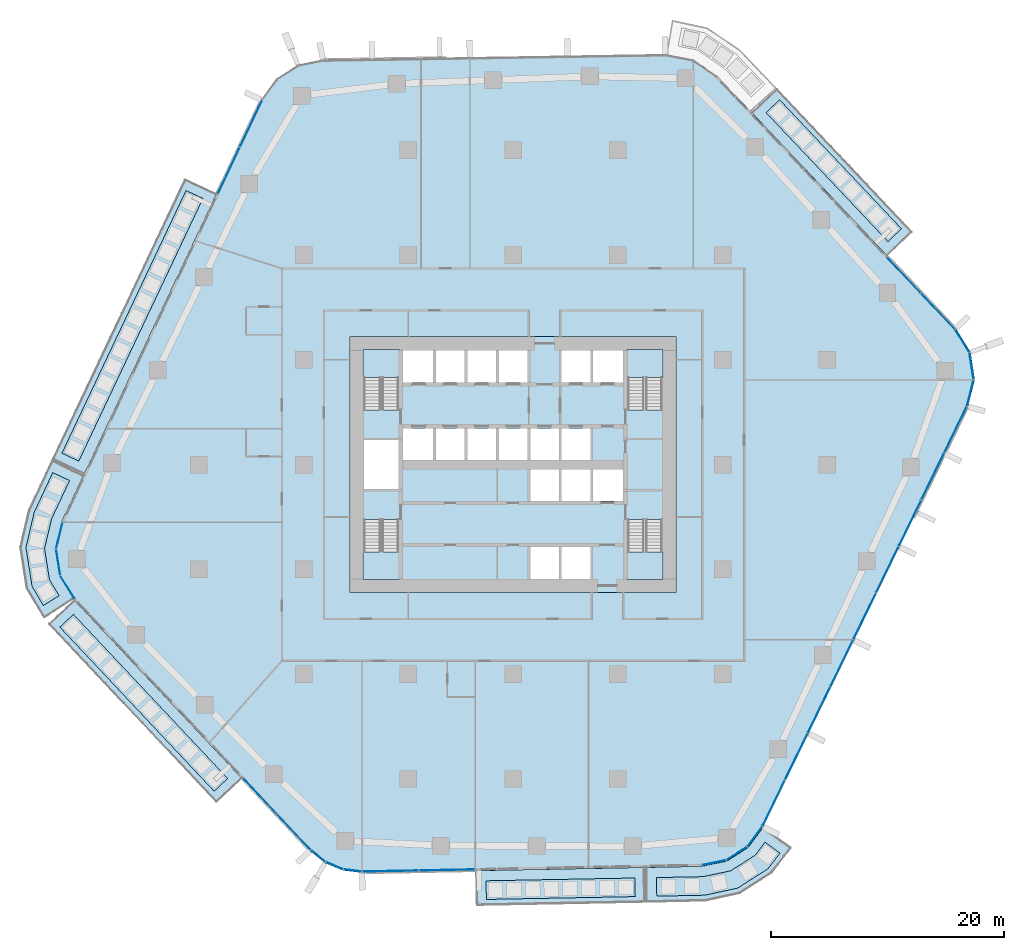
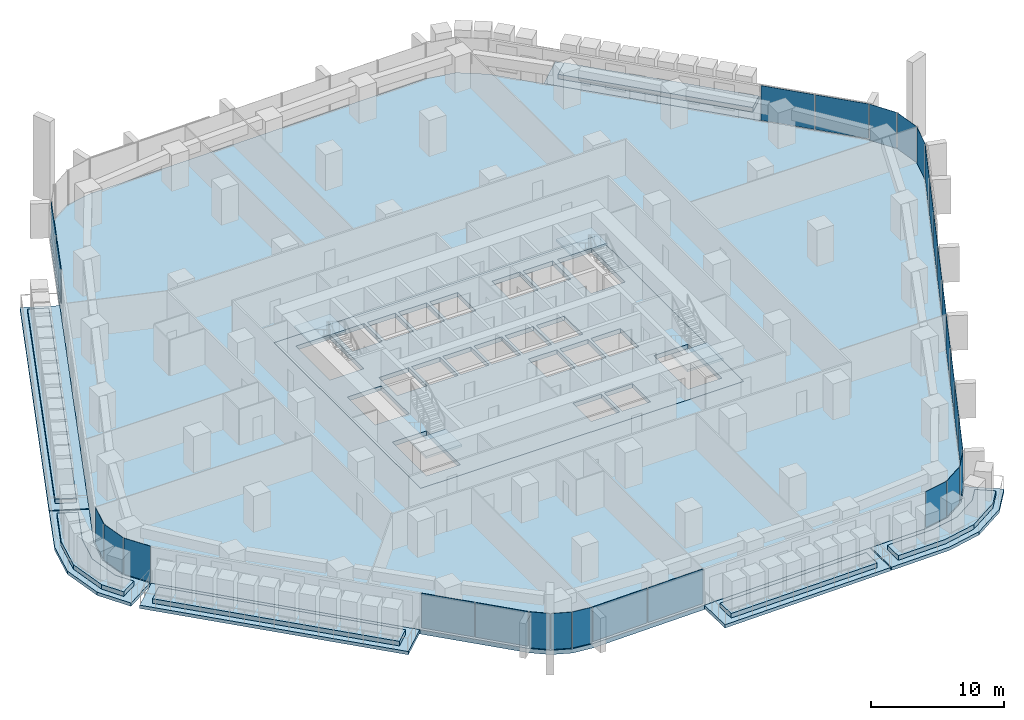
# One storey, part 11 of 25: 29 plates, 18 slabs, 13 elements without a shape of their own.
"""IFC4 building model written with IfcOpenShell, lengths in metres."""

from ifc_helpers import new_model, si_unit, direction, frame, origin, origin_2d, place, context, subcontext, project, spatial, polyline, rectangle, outline, extrude, material, layer, layer_set, type_object, element, aggregate, save


model = new_model("IFC4")

# Units and contexts
model_context = context("Model", 3, precision=1e-05, world=origin(), true_north=direction((0.0, 1.0)))
body_context = subcontext(model_context, "Body", "Model", "MODEL_VIEW")
ifc_project = project(units=[si_unit("LENGTHUNIT", "METRE"), si_unit("AREAUNIT", "SQUARE_METRE"), si_unit("VOLUMEUNIT", "CUBIC_METRE"), si_unit("PLANEANGLEUNIT", "RADIAN"), si_unit("MASSUNIT", "GRAM", prefix="KILO")], contexts=[model_context])

# Site, building, storey
site_placement = place(None, origin())
site = spatial("IfcSite", under=ifc_project, at=site_placement, CompositionType="ELEMENT")
building_placement = place(site_placement, origin())
building = spatial("IfcBuilding", under=site, at=building_placement, Name="Dongbaek Canopy Tower", CompositionType="ELEMENT")
storey_placement = place(building_placement, frame((0.0, 0.0, 77.300048828125)))
storey = spatial("IfcBuildingStorey", under=building, at=storey_placement, Name="L15", CompositionType="ELEMENT", Elevation=77.300048828125)

# Slabs
ifc_material_1 = material(Name="Concrete C40/50", Category="concrete")
ifc_layer_1 = layer(ifc_material_1, 0.300048828125)
ifc_layer_set_1 = layer_set([ifc_layer_1], Name="Balcony slab 300")
slab_type_1 = type_object("IfcSlabType", Name="Balcony slab 300", PredefinedType="FLOOR", material=ifc_layer_set_1)
slab_1_placement = place(storey_placement, frame((0.0, 0.0, -0.300048828125)))
element("IfcSlab", 1, at=slab_1_placement, inside=storey, type_object=slab_type_1, Name="Balcony L15 1", PredefinedType="FLOOR", context=body_context, shape_type="SweptSolid", body=[
    extrude(outline(polyline([(32.134033203125, 17.93408203125), (20.492431640625, 30.24755859375), (22.67236328125, 32.30859375), (34.31396484375, 19.9951171875), (32.134033203125, 17.93408203125)])), origin(), (0.0, 0.0, 1.0), 0.300048828125),
])
slab_2_placement = place(storey_placement, frame((0.0, 0.0, -0.300048828125)))
element("IfcSlab", 2, at=slab_2_placement, inside=storey, type_object=slab_type_1, Name="Balcony L15 2", PredefinedType="FLOOR", context=body_context, shape_type="SweptSolid", body=[
    extrude(outline(polyline([(-25.47998046875, 23.25048828125), (-36.863037109375, -0.844482421875), (-39.57568359375, 0.43701171875), (-28.1923828125, 24.531982421875), (-25.47998046875, 23.25048828125)])), origin(), (0.0, 0.0, 1.0), 0.300048828125),
])
slab_3_placement = place(storey_placement, frame((0.0, 0.0, -0.300048828125)))
element("IfcSlab", 3, at=slab_3_placement, inside=storey, type_object=slab_type_1, Name="Balcony L15 6", PredefinedType="FLOOR", context=body_context, shape_type="SweptSolid", body=[
    extrude(outline(polyline([(-36.90576171875, -0.93505859375), (-38.788818359375, -4.920654296875), (-39.358154296875, -7.2275390625), (-38.987548828125, -9.574462890625), (-37.761474609375, -11.551025390625), (-40.310791015625, -13.13232421875), (-41.799560546875, -10.61962890625), (-42.35546875, -7.099365234375), (-41.615234375, -3.91552734375), (-39.618408203125, 0.346435546875), (-36.90576171875, -0.93505859375)])), origin(), (0.0, 0.0, 1.0), 0.300048828125),
])
slab_4_placement = place(storey_placement, frame((0.0, 0.0, -0.300048828125)))
element("IfcSlab", 4, at=slab_4_placement, inside=storey, type_object=slab_type_1, Name="Balcony L15 3", PredefinedType="FLOOR", context=body_context, shape_type="SweptSolid", body=[
    extrude(outline(polyline([(-37.700927734375, -11.6298828125), (-23.28271484375, -26.96630859375), (-25.468505859375, -29.021240234375), (-39.88671875, -13.684814453125), (-37.700927734375, -11.6298828125)])), origin(), (0.0, 0.0, 1.0), 0.300048828125),
])
slab_5_placement = place(storey_placement, frame((0.0, 0.0, -0.300048828125)))
element("IfcSlab", 5, at=slab_5_placement, inside=storey, type_object=slab_type_1, Name="Balcony L15 4", PredefinedType="FLOOR", context=body_context, shape_type="SweptSolid", body=[
    extrude(outline(polyline([(-3.193359375, -34.87060546875), (11.294677734375, -34.595947265625), (11.3515625, -37.595458984375), (-3.136474609375, -37.869873046875), (-3.193359375, -34.87060546875)])), origin(), (0.0, 0.0, 1.0), 0.300048828125),
])
slab_6_placement = place(storey_placement, frame((0.0, 0.0, -0.300048828125)))
element("IfcSlab", 6, at=slab_6_placement, inside=storey, type_object=slab_type_1, Name="Balcony L15 7", PredefinedType="FLOOR", context=body_context, shape_type="SweptSolid", body=[
    extrude(outline(polyline([(11.39453125, -34.593994140625), (16.207275390625, -34.502685546875), (18.347900390625, -34.064208984375), (20.189697265625, -32.88818359375), (21.458251953125, -31.170654296875), (23.871337890625, -32.953125), (22.23779296875, -35.080078125), (19.47509765625, -36.844482421875), (16.5380859375, -37.484375), (11.451416015625, -37.593505859375), (11.39453125, -34.593994140625)])), origin(), (0.0, 0.0, 1.0), 0.300048828125),
])

# Curtain wall, plates
ifc_material_2 = material(Name="Aluminium 6063-T6 pale anodised", Category="aluminium")
ifc_layer_2 = layer(ifc_material_2, 0.199951171875)
ifc_layer_set_2 = layer_set([ifc_layer_2], Name="CW-1 unitised tower curtain wall")
curtain_wall_type = type_object("IfcCurtainWallType", Name="CW-1 unitised tower curtain wall", PredefinedType="NOTDEFINED", material=ifc_layer_set_2)
curtain_wall_1_placement = place(storey_placement, origin())
curtain_wall_1 = element("IfcCurtainWall", 7, at=curtain_wall_1_placement, inside=storey, type_object=curtain_wall_type, Name="CW-1 curtain wall K0.1", PredefinedType="NOTDEFINED")
ifc_material_3 = material(Name="Clear laminated glass", Category="glass")
ifc_layer_3 = layer(ifc_material_3, 0.028076171875)
ifc_layer_set_3 = layer_set([ifc_layer_3], Name="CW-1 glazed panel 28")
plate_type = type_object("IfcPlateType", Name="CW-1 glazed panel 28", PredefinedType="CURTAIN_PANEL", material=ifc_layer_set_3)
plate_1_placement = place(storey_placement, frame((39.259033203125, 6.140380859375, 0.0), z_axis=(0.0, 0.0, 1.0), x_axis=(0.248721904492, 0.968574939912, 0.0)))
plate_1 = element("IfcPlate", 8, at=plate_1_placement, type_object=plate_type, Name="CW-1 panel K0.1.1.1", PredefinedType="CURTAIN_PANEL", context=body_context, shape_type="SweptSolid", body=[
    extrude(rectangle(XDim=2.2900390625, YDim=0.028076171875, at=origin_2d()), origin(), (0.0, 0.0, 1.0), 3.300048828125),
])
plate_2_placement = place(storey_placement, frame((39.375244140625, 8.458251953125, 0.0), z_axis=(0.0, 0.0, 1.0), x_axis=(-0.151541451758, 0.988450903383, 0.0)))
plate_2 = element("IfcPlate", 9, at=plate_2_placement, type_object=plate_type, Name="CW-1 panel K0.1.2.1", PredefinedType="CURTAIN_PANEL", context=body_context, shape_type="SweptSolid", body=[
    extrude(rectangle(XDim=2.279541015625, YDim=0.028076171875, at=origin_2d()), origin(), (0.0, 0.0, 1.0), 3.300048828125),
])
plate_3_placement = place(storey_placement, frame((38.570068359375, 10.635009765625, 0.0), z_axis=(0.0, 0.0, 1.0), x_axis=(-0.527466370675, 0.849575910562, 0.0)))
plate_3 = element("IfcPlate", 10, at=plate_3_placement, type_object=plate_type, Name="CW-1 panel K0.1.3.1", PredefinedType="CURTAIN_PANEL", context=body_context, shape_type="SweptSolid", body=[
    extrude(rectangle(XDim=2.2900390625, YDim=0.028076171875, at=origin_2d()), origin(), (0.0, 0.0, 1.0), 3.300048828125),
])
aggregate(curtain_wall_1, [plate_1, plate_2, plate_3])

curtain_wall_2_placement = place(storey_placement, origin())
curtain_wall_2 = element("IfcCurtainWall", 11, at=curtain_wall_2_placement, inside=storey, type_object=curtain_wall_type, Name="CW-1 curtain wall F0.1", PredefinedType="NOTDEFINED")
plate_4_placement = place(storey_placement, frame((36.483642578125, 13.18798828125, 0.1201171875), z_axis=(0.0, 0.0, 1.0), x_axis=(-0.687005170923, 0.72665252709, 0.0)))
plate_4 = element("IfcPlate", 12, at=plate_4_placement, type_object=plate_type, Name="CW-1 panel F0.1.1.1", PredefinedType="CURTAIN_PANEL", context=body_context, shape_type="SweptSolid", body=[
    extrude(rectangle(XDim=4.167236328125, YDim=0.028076171875, at=origin_2d()), origin(), (0.0, 0.0, 1.0), 3.179931640625),
])
plate_5_placement = place(storey_placement, frame((33.5595703125, 16.28076171875, 0.1201171875), z_axis=(0.0, 0.0, 1.0), x_axis=(-0.687005170923, 0.72665252709, 0.0)))
plate_5 = element("IfcPlate", 13, at=plate_5_placement, type_object=plate_type, Name="CW-1 panel F0.1.2.1", PredefinedType="CURTAIN_PANEL", context=body_context, shape_type="SweptSolid", body=[
    extrude(rectangle(XDim=4.177490234375, YDim=0.028076171875, at=origin_2d()), origin(), (0.0, 0.0, 1.0), 3.179931640625),
])
aggregate(curtain_wall_2, [plate_4, plate_5])

curtain_wall_3_placement = place(storey_placement, origin())
curtain_wall_3 = element("IfcCurtainWall", 14, at=curtain_wall_3_placement, inside=storey, type_object=curtain_wall_type, Name="CW-1 curtain wall F2.1", PredefinedType="NOTDEFINED")
plate_6_placement = place(storey_placement, frame((-22.513671875, 29.29541015625, 0.1201171875), z_axis=(0.0, 0.0, 1.0), x_axis=(-0.427157493317, -0.904177236997, 0.0)))
plate_6 = element("IfcPlate", 15, at=plate_6_placement, type_object=plate_type, Name="CW-1 panel F2.1.1.1", PredefinedType="CURTAIN_PANEL", context=body_context, shape_type="SweptSolid", body=[
    extrude(rectangle(XDim=4.36474609375, YDim=0.028076171875, at=origin_2d()), origin(), (0.0, 0.0, 1.0), 3.179931640625),
])
plate_7_placement = place(storey_placement, frame((-24.416015625, 25.2685546875, 0.1201171875), z_axis=(0.0, 0.0, 1.0), x_axis=(-0.427157493317, -0.904177236997, 0.0)))
plate_7 = element("IfcPlate", 16, at=plate_7_placement, type_object=plate_type, Name="CW-1 panel F2.1.2.1", PredefinedType="CURTAIN_PANEL", context=body_context, shape_type="SweptSolid", body=[
    extrude(rectangle(XDim=4.3740234375, YDim=0.028076171875, at=origin_2d()), origin(), (0.0, 0.0, 1.0), 3.179931640625),
])
aggregate(curtain_wall_3, [plate_6, plate_7])

curtain_wall_4_placement = place(storey_placement, origin())
curtain_wall_4 = element("IfcCurtainWall", 17, at=curtain_wall_4_placement, inside=storey, type_object=curtain_wall_type, Name="CW-1 curtain wall K3.1", PredefinedType="NOTDEFINED")
plate_8_placement = place(storey_placement, frame((-38.97509765625, -6.093017578125, 0.0), z_axis=(0.0, 0.0, 1.0), x_axis=(-0.239675655478, -0.97085301677, 0.0)))
plate_8 = element("IfcPlate", 18, at=plate_8_placement, type_object=plate_type, Name="CW-1 panel K3.1.1.1", PredefinedType="CURTAIN_PANEL", context=body_context, shape_type="SweptSolid", body=[
    extrude(rectangle(XDim=2.26171875, YDim=0.028076171875, at=origin_2d()), origin(), (0.0, 0.0, 1.0), 3.300048828125),
])
plate_9_placement = place(storey_placement, frame((-39.07421875, -8.38525390625, 0.0), z_axis=(0.0, 0.0, 1.0), x_axis=(0.15595884554, -0.987763553943, 0.0)))
plate_9 = element("IfcPlate", 19, at=plate_9_placement, type_object=plate_type, Name="CW-1 panel K3.1.2.1", PredefinedType="CURTAIN_PANEL", context=body_context, shape_type="SweptSolid", body=[
    extrude(rectangle(XDim=2.25146484375, YDim=0.028076171875, at=origin_2d()), origin(), (0.0, 0.0, 1.0), 3.300048828125),
])
plate_10_placement = place(storey_placement, frame((-38.273681640625, -10.535400390625, 0.0), z_axis=(0.0, 0.0, 1.0), x_axis=(0.527137030635, -0.849780295684, 0.0)))
plate_10 = element("IfcPlate", 20, at=plate_10_placement, type_object=plate_type, Name="CW-1 panel K3.1.3.1", PredefinedType="CURTAIN_PANEL", context=body_context, shape_type="SweptSolid", body=[
    extrude(rectangle(XDim=2.26171875, YDim=0.028076171875, at=origin_2d()), origin(), (0.0, 0.0, 1.0), 3.300048828125),
])
aggregate(curtain_wall_4, [plate_8, plate_9, plate_10])

curtain_wall_5_placement = place(storey_placement, origin())
curtain_wall_5 = element("IfcCurtainWall", 21, at=curtain_wall_5_placement, inside=storey, type_object=curtain_wall_type, Name="CW-1 curtain wall F3.1", PredefinedType="NOTDEFINED")
plate_11_placement = place(storey_placement, frame((-21.72705078125, -28.475341796875, 0.1201171875), z_axis=(0.0, 0.0, 1.0), x_axis=(0.684955696886, -0.728584719372, 0.0)))
plate_11 = element("IfcPlate", 22, at=plate_11_placement, type_object=plate_type, Name="CW-1 panel F3.1.1.1", PredefinedType="CURTAIN_PANEL", context=body_context, shape_type="SweptSolid", body=[
    extrude(rectangle(XDim=4.14599609375, YDim=0.028076171875, at=origin_2d()), origin(), (0.0, 0.0, 1.0), 3.179931640625),
])
plate_12_placement = place(storey_placement, frame((-18.83203125, -31.5546875, 0.1201171875), z_axis=(0.0, 0.0, 1.0), x_axis=(0.684955696886, -0.728584719372, 0.0)))
plate_12 = element("IfcPlate", 23, at=plate_12_placement, type_object=plate_type, Name="CW-1 panel F3.1.2.1", PredefinedType="CURTAIN_PANEL", context=body_context, shape_type="SweptSolid", body=[
    extrude(rectangle(XDim=4.138916015625, YDim=0.028076171875, at=origin_2d()), origin(), (0.0, 0.0, 1.0), 3.179931640625),
])
aggregate(curtain_wall_5, [plate_11, plate_12])

curtain_wall_6_placement = place(storey_placement, origin())
curtain_wall_6 = element("IfcCurtainWall", 24, at=curtain_wall_6_placement, inside=storey, type_object=curtain_wall_type, Name="CW-1 curtain wall K4.1", PredefinedType="NOTDEFINED")
plate_13_placement = place(storey_placement, frame((-16.7451171875, -33.608154296875, 0.0), z_axis=(0.0, 0.0, 1.0), x_axis=(0.779422777019, -0.626498311781, 0.0)))
plate_13 = element("IfcPlate", 25, at=plate_13_placement, type_object=plate_type, Name="CW-1 panel K4.1.1.1", PredefinedType="CURTAIN_PANEL", context=body_context, shape_type="SweptSolid", body=[
    extrude(rectangle(XDim=1.56005859375, YDim=0.028076171875, at=origin_2d()), origin(), (0.0, 0.0, 1.0), 3.300048828125),
])
plate_14_placement = place(storey_placement, frame((-15.35009765625, -34.440673828125, 0.0), z_axis=(0.0, 0.0, 1.0), x_axis=(0.92158575845, -0.388174818635, 0.0)))
plate_14 = element("IfcPlate", 26, at=plate_14_placement, type_object=plate_type, Name="CW-1 panel K4.1.2.1", PredefinedType="CURTAIN_PANEL", context=body_context, shape_type="SweptSolid", body=[
    extrude(rectangle(XDim=1.552978515625, YDim=0.028076171875, at=origin_2d()), origin(), (0.0, 0.0, 1.0), 3.300048828125),
])
plate_15_placement = place(storey_placement, frame((-13.779541015625, -34.857177734375, 0.0), z_axis=(0.0, 0.0, 1.0), x_axis=(0.992778894538, -0.119958603523, 0.0)))
plate_15 = element("IfcPlate", 27, at=plate_15_placement, type_object=plate_type, Name="CW-1 panel K4.1.3.1", PredefinedType="CURTAIN_PANEL", context=body_context, shape_type="SweptSolid", body=[
    extrude(rectangle(XDim=1.56005859375, YDim=0.028076171875, at=origin_2d()), origin(), (0.0, 0.0, 1.0), 3.300048828125),
])
aggregate(curtain_wall_6, [plate_13, plate_14, plate_15])

curtain_wall_7_placement = place(storey_placement, origin())
curtain_wall_7 = element("IfcCurtainWall", 28, at=curtain_wall_7_placement, inside=storey, type_object=curtain_wall_type, Name="CW-1 curtain wall F4.1", PredefinedType="NOTDEFINED")
plate_16_placement = place(storey_placement, frame((-10.53564453125, -34.90966796875, 0.1201171875), z_axis=(0.0, 0.0, 1.0), x_axis=(0.999820399817, 0.018951731053, 0.0)))
plate_16 = element("IfcPlate", 29, at=plate_16_placement, type_object=plate_type, Name="CW-1 panel F4.1.1.1", PredefinedType="CURTAIN_PANEL", context=body_context, shape_type="SweptSolid", body=[
    extrude(rectangle(XDim=4.7724609375, YDim=0.028076171875, at=origin_2d()), origin(), (0.0, 0.0, 1.0), 3.179931640625),
])
plate_17_placement = place(storey_placement, frame((-5.676513671875, -34.817626953125, 0.1201171875), z_axis=(0.0, 0.0, 1.0), x_axis=(0.999820399817, 0.018951731053, 0.0)))
plate_17 = element("IfcPlate", 30, at=plate_17_placement, type_object=plate_type, Name="CW-1 panel F4.1.2.1", PredefinedType="CURTAIN_PANEL", context=body_context, shape_type="SweptSolid", body=[
    extrude(rectangle(XDim=4.779541015625, YDim=0.028076171875, at=origin_2d()), origin(), (0.0, 0.0, 1.0), 3.179931640625),
])
aggregate(curtain_wall_7, [plate_16, plate_17])

curtain_wall_8_placement = place(storey_placement, origin())
curtain_wall_8 = element("IfcCurtainWall", 31, at=curtain_wall_8_placement, inside=storey, type_object=curtain_wall_type, Name="CW-1 curtain wall K5.1", PredefinedType="NOTDEFINED")
plate_18_placement = place(storey_placement, frame((17.2529296875, -34.1865234375, 0.0), z_axis=(0.0, 0.0, 1.0), x_axis=(0.979652022708, 0.200703548559, 0.0)))
plate_18 = element("IfcPlate", 32, at=plate_18_placement, type_object=plate_type, Name="CW-1 panel K5.1.1.1", PredefinedType="CURTAIN_PANEL", context=body_context, shape_type="SweptSolid", body=[
    extrude(rectangle(XDim=2.073486328125, YDim=0.028076171875, at=origin_2d()), origin(), (0.0, 0.0, 1.0), 3.300048828125),
])
plate_19_placement = place(storey_placement, frame((19.215087890625, -33.391845703125, 0.0), z_axis=(0.0, 0.0, 1.0), x_axis=(0.842805099495, 0.538218881372, 0.0)))
plate_19 = element("IfcPlate", 33, at=plate_19_placement, type_object=plate_type, Name="CW-1 panel K5.1.2.1", PredefinedType="CURTAIN_PANEL", context=body_context, shape_type="SweptSolid", body=[
    extrude(rectangle(XDim=2.064208984375, YDim=0.028076171875, at=origin_2d()), origin(), (0.0, 0.0, 1.0), 3.300048828125),
])
plate_20_placement = place(storey_placement, frame((20.76123046875, -31.946044921875, 0.0), z_axis=(0.0, 0.0, 1.0), x_axis=(0.594165406142, 0.804342880955, 0.0)))
plate_20 = element("IfcPlate", 34, at=plate_20_placement, type_object=plate_type, Name="CW-1 panel K5.1.3.1", PredefinedType="CURTAIN_PANEL", context=body_context, shape_type="SweptSolid", body=[
    extrude(rectangle(XDim=2.073486328125, YDim=0.028076171875, at=origin_2d()), origin(), (0.0, 0.0, 1.0), 3.300048828125),
])
aggregate(curtain_wall_8, [plate_18, plate_19, plate_20])

curtain_wall_9_placement = place(storey_placement, origin())
curtain_wall_9 = element("IfcCurtainWall", 35, at=curtain_wall_9_placement, inside=storey, type_object=curtain_wall_type, Name="CW-1 curtain wall F5.1", PredefinedType="NOTDEFINED")
plate_21_placement = place(storey_placement, frame((22.376220703125, -29.07763671875, 0.1201171875), z_axis=(0.0, 0.0, 1.0), x_axis=(0.437758850882, 0.899092424879, 0.0)))
plate_21 = element("IfcPlate", 36, at=plate_21_placement, type_object=plate_type, Name="CW-1 panel F5.1.1.1", PredefinedType="CURTAIN_PANEL", context=body_context, shape_type="SweptSolid", body=[
    extrude(rectangle(XDim=4.366455078125, YDim=0.028076171875, at=origin_2d()), origin(), (0.0, 0.0, 1.0), 3.179931640625),
])
plate_22_placement = place(storey_placement, frame((24.326416015625, -25.072265625, 0.1201171875), z_axis=(0.0, 0.0, 1.0), x_axis=(0.437758850882, 0.899092424879, 0.0)))
plate_22 = element("IfcPlate", 37, at=plate_22_placement, type_object=plate_type, Name="CW-1 panel F5.1.2.1", PredefinedType="CURTAIN_PANEL", context=body_context, shape_type="SweptSolid", body=[
    extrude(rectangle(XDim=4.375732421875, YDim=0.028076171875, at=origin_2d()), origin(), (0.0, 0.0, 1.0), 3.179931640625),
])
plate_23_placement = place(storey_placement, frame((26.27880859375, -21.0625, 0.1201171875), z_axis=(0.0, 0.0, 1.0), x_axis=(0.437758850882, 0.899092424879, 0.0)))
plate_23 = element("IfcPlate", 38, at=plate_23_placement, type_object=plate_type, Name="CW-1 panel F5.1.3.1", PredefinedType="CURTAIN_PANEL", context=body_context, shape_type="SweptSolid", body=[
    extrude(rectangle(XDim=4.375732421875, YDim=0.028076171875, at=origin_2d()), origin(), (0.0, 0.0, 1.0), 3.179931640625),
])
plate_24_placement = place(storey_placement, frame((28.23095703125, -17.052978515625, 0.1201171875), z_axis=(0.0, 0.0, 1.0), x_axis=(0.437758850882, 0.899092424879, 0.0)))
plate_24 = element("IfcPlate", 39, at=plate_24_placement, type_object=plate_type, Name="CW-1 panel F5.1.4.1", PredefinedType="CURTAIN_PANEL", context=body_context, shape_type="SweptSolid", body=[
    extrude(rectangle(XDim=4.375732421875, YDim=0.028076171875, at=origin_2d()), origin(), (0.0, 0.0, 1.0), 3.179931640625),
])
plate_25_placement = place(storey_placement, frame((30.183349609375, -13.04345703125, 0.1201171875), z_axis=(0.0, 0.0, 1.0), x_axis=(0.437758850882, 0.899092424879, 0.0)))
plate_25 = element("IfcPlate", 40, at=plate_25_placement, type_object=plate_type, Name="CW-1 panel F5.1.5.1", PredefinedType="CURTAIN_PANEL", context=body_context, shape_type="SweptSolid", body=[
    extrude(rectangle(XDim=4.375732421875, YDim=0.028076171875, at=origin_2d()), origin(), (0.0, 0.0, 1.0), 3.179931640625),
])
plate_26_placement = place(storey_placement, frame((32.135498046875, -9.03369140625, 0.1201171875), z_axis=(0.0, 0.0, 1.0), x_axis=(0.437758850882, 0.899092424879, 0.0)))
plate_26 = element("IfcPlate", 41, at=plate_26_placement, type_object=plate_type, Name="CW-1 panel F5.1.6.1", PredefinedType="CURTAIN_PANEL", context=body_context, shape_type="SweptSolid", body=[
    extrude(rectangle(XDim=4.375732421875, YDim=0.028076171875, at=origin_2d()), origin(), (0.0, 0.0, 1.0), 3.179931640625),
])
plate_27_placement = place(storey_placement, frame((34.087646484375, -5.024169921875, 0.1201171875), z_axis=(0.0, 0.0, 1.0), x_axis=(0.437758850882, 0.899092424879, 0.0)))
plate_27 = element("IfcPlate", 42, at=plate_27_placement, type_object=plate_type, Name="CW-1 panel F5.1.7.1", PredefinedType="CURTAIN_PANEL", context=body_context, shape_type="SweptSolid", body=[
    extrude(rectangle(XDim=4.375732421875, YDim=0.028076171875, at=origin_2d()), origin(), (0.0, 0.0, 1.0), 3.179931640625),
])
plate_28_placement = place(storey_placement, frame((36.0400390625, -1.014404296875, 0.1201171875), z_axis=(0.0, 0.0, 1.0), x_axis=(0.437758850882, 0.899092424879, 0.0)))
plate_28 = element("IfcPlate", 43, at=plate_28_placement, type_object=plate_type, Name="CW-1 panel F5.1.8.1", PredefinedType="CURTAIN_PANEL", context=body_context, shape_type="SweptSolid", body=[
    extrude(rectangle(XDim=4.375732421875, YDim=0.028076171875, at=origin_2d()), origin(), (0.0, 0.0, 1.0), 3.179931640625),
])
plate_29_placement = place(storey_placement, frame((37.989990234375, 2.990478515625, 0.1201171875), z_axis=(0.0, 0.0, 1.0), x_axis=(0.437758850882, 0.899092424879, 0.0)))
plate_29 = element("IfcPlate", 44, at=plate_29_placement, type_object=plate_type, Name="CW-1 panel F5.1.9.1", PredefinedType="CURTAIN_PANEL", context=body_context, shape_type="SweptSolid", body=[
    extrude(rectangle(XDim=4.365478515625, YDim=0.028076171875, at=origin_2d()), origin(), (0.0, 0.0, 1.0), 3.179931640625),
])
aggregate(curtain_wall_9, [plate_21, plate_22, plate_23, plate_24, plate_25, plate_26, plate_27, plate_28, plate_29])

# Slab
ifc_material_4 = material(Name="Concrete C40/50", Category="concrete")
ifc_layer_4 = layer(ifc_material_4, 0.39990234375)
ifc_layer_set_4 = layer_set([ifc_layer_4], Name="Core floor slab 400 Concrete C40/50")
slab_type_2 = type_object("IfcSlabType", Name="Core floor slab 400 Concrete C40/50", PredefinedType="FLOOR", material=ifc_layer_set_4)
slab_7_placement = place(storey_placement, frame((0.0, 0.0, -0.400146484375)))
element("IfcSlab", 45, at=slab_7_placement, inside=storey, type_object=slab_type_2, Name="Core floor slab L15", PredefinedType="FLOOR", context=body_context, shape_type="SweptSolid", body=[
    extrude(outline(polyline([(14.0, -11.0), (14.0, 11.0), (-14.0, 11.0), (-14.0, -11.0), (14.0, -11.0)]), holes=[polyline([(-12.800048828125, 2.10009765625), (-9.85009765625, 2.10009765625), (-9.85009765625, -2.10009765625), (-12.800048828125, -2.10009765625), (-12.800048828125, 2.10009765625)]), polyline([(-6.875, 9.800048828125), (-6.875, 7.074951171875), (-9.449951171875, 7.074951171875), (-9.449951171875, 9.800048828125), (-6.875, 9.800048828125)]), polyline([(-4.175048828125, 9.800048828125), (-4.175048828125, 7.074951171875), (-6.625, 7.074951171875), (-6.625, 9.800048828125), (-4.175048828125, 9.800048828125)]), polyline([(-1.47509765625, 9.800048828125), (-1.47509765625, 7.074951171875), (-3.925048828125, 7.074951171875), (-3.925048828125, 9.800048828125), (-1.47509765625, 9.800048828125)]), polyline([(1.22509765625, 9.800048828125), (1.22509765625, 7.074951171875), (-1.22509765625, 7.074951171875), (-1.22509765625, 9.800048828125), (1.22509765625, 9.800048828125)]), polyline([(6.625, 9.800048828125), (6.625, 7.074951171875), (4.175048828125, 7.074951171875), (4.175048828125, 9.800048828125), (6.625, 9.800048828125)]), polyline([(9.449951171875, 7.074951171875), (6.875, 7.074951171875), (6.875, 9.800048828125), (9.449951171875, 9.800048828125), (9.449951171875, 7.074951171875)]), polyline([(-9.449951171875, 3.125), (-6.875, 3.125), (-6.875, 0.39990234375), (-9.449951171875, 0.39990234375), (-9.449951171875, 3.125)]), polyline([(-6.625, 3.125), (-4.175048828125, 3.125), (-4.175048828125, 0.39990234375), (-6.625, 0.39990234375), (-6.625, 3.125)]), polyline([(-3.925048828125, 3.125), (-1.47509765625, 3.125), (-1.47509765625, 0.39990234375), (-3.925048828125, 0.39990234375), (-3.925048828125, 3.125)]), polyline([(-1.22509765625, 3.125), (1.22509765625, 3.125), (1.22509765625, 0.39990234375), (-1.22509765625, 0.39990234375), (-1.22509765625, 3.125)]), polyline([(1.47509765625, 0.39990234375), (1.47509765625, 3.125), (3.925048828125, 3.125), (3.925048828125, 0.39990234375), (1.47509765625, 0.39990234375)]), polyline([(4.175048828125, 0.39990234375), (4.175048828125, 3.125), (6.625, 3.125), (6.625, 0.39990234375), (4.175048828125, 0.39990234375)]), polyline([(3.925048828125, -0.39990234375), (3.925048828125, -3.125), (1.47509765625, -3.125), (1.47509765625, -0.39990234375), (3.925048828125, -0.39990234375)]), polyline([(6.625, -0.39990234375), (6.625, -3.125), (4.175048828125, -3.125), (4.175048828125, -0.39990234375), (6.625, -0.39990234375)]), polyline([(9.449951171875, -3.125), (6.875, -3.125), (6.875, -0.39990234375), (9.449951171875, -0.39990234375), (9.449951171875, -3.125)]), polyline([(1.47509765625, -9.800048828125), (1.47509765625, -7.074951171875), (3.925048828125, -7.074951171875), (3.925048828125, -9.800048828125), (1.47509765625, -9.800048828125)]), polyline([(4.175048828125, -9.800048828125), (4.175048828125, -7.074951171875), (6.625, -7.074951171875), (6.625, -9.800048828125), (4.175048828125, -9.800048828125)]), polyline([(12.800048828125, 4.70068359375), (12.800048828125, 9.800048828125), (9.85009765625, 9.800048828125), (9.85009765625, 4.70068359375), (12.800048828125, 4.70068359375)]), polyline([(-9.85009765625, 4.70068359375), (-9.85009765625, 9.800048828125), (-12.800048828125, 9.800048828125), (-12.800048828125, 4.70068359375), (-9.85009765625, 4.70068359375)]), polyline([(9.85009765625, -4.70068359375), (9.85009765625, -9.800048828125), (12.800048828125, -9.800048828125), (12.800048828125, -4.70068359375), (9.85009765625, -4.70068359375)]), polyline([(-12.800048828125, -4.70068359375), (-12.800048828125, -9.800048828125), (-9.85009765625, -9.800048828125), (-9.85009765625, -4.70068359375), (-12.800048828125, -4.70068359375)])]), origin(), (0.0, 0.0, 1.0), 0.400146484375),
])

# Stair, slab
ifc_material_5 = material(Name="Concrete C40/50", Category="concrete")
stair_type = type_object("IfcStairType", Name="Core exit stair", PredefinedType="HALF_TURN_STAIR", material=ifc_material_5)
stair_1_placement = place(storey_placement, origin())
stair_1 = element("IfcStair", 46, at=stair_1_placement, inside=storey, type_object=stair_type, Name="L15 exit stair A", PredefinedType="HALF_TURN_STAIR")
ifc_material_6 = material(Name="Concrete C40/50", Category="concrete")
ifc_layer_5 = layer(ifc_material_6, 0.199951171875)
ifc_layer_set_5 = layer_set([ifc_layer_5], Name="Core stair landing 200")
slab_type_3 = type_object("IfcSlabType", Name="Core stair landing 200", PredefinedType="LANDING", material=ifc_layer_set_5)
slab_8_placement = place(storey_placement, frame((0.0, 0.0, 1.64990234375)))
slab_8 = element("IfcSlab", 47, at=slab_8_placement, type_object=slab_type_3, Name="ST-A landing 1", PredefinedType="LANDING", context=body_context, shape_type="SweptSolid", body=[
    extrude(outline(polyline([(12.875, 7.5), (12.875, 9.875), (9.77490234375, 9.875), (9.77490234375, 7.5), (12.875, 7.5)])), origin(), (0.0, 0.0, 1.0), 0.199951171875),
])
aggregate(stair_1, [slab_8])

stair_2_placement = place(storey_placement, origin())
stair_2 = element("IfcStair", 48, at=stair_2_placement, inside=storey, type_object=stair_type, Name="L15 exit stair C", PredefinedType="HALF_TURN_STAIR")
slab_9_placement = place(storey_placement, frame((0.0, 0.0, 1.64990234375)))
slab_9 = element("IfcSlab", 49, at=slab_9_placement, type_object=slab_type_3, Name="ST-C landing 1", PredefinedType="LANDING", context=body_context, shape_type="SweptSolid", body=[
    extrude(outline(polyline([(-9.77490234375, 7.5), (-9.77490234375, 9.875), (-12.875, 9.875), (-12.875, 7.5), (-9.77490234375, 7.5)])), origin(), (0.0, 0.0, 1.0), 0.199951171875),
])
aggregate(stair_2, [slab_9])

stair_3_placement = place(storey_placement, origin())
stair_3 = element("IfcStair", 50, at=stair_3_placement, inside=storey, type_object=stair_type, Name="L15 exit stair B", PredefinedType="HALF_TURN_STAIR")
slab_10_placement = place(storey_placement, frame((0.0, 0.0, 1.64990234375)))
slab_10 = element("IfcSlab", 51, at=slab_10_placement, type_object=slab_type_3, Name="ST-B landing 1", PredefinedType="LANDING", context=body_context, shape_type="SweptSolid", body=[
    extrude(outline(polyline([(9.77490234375, -7.5), (9.77490234375, -9.875), (12.875, -9.875), (12.875, -7.5), (9.77490234375, -7.5)])), origin(), (0.0, 0.0, 1.0), 0.199951171875),
])
aggregate(stair_3, [slab_10])

stair_4_placement = place(storey_placement, origin())
stair_4 = element("IfcStair", 52, at=stair_4_placement, inside=storey, type_object=stair_type, Name="L15 exit stair D", PredefinedType="HALF_TURN_STAIR")
slab_11_placement = place(storey_placement, frame((0.0, 0.0, 1.64990234375)))
slab_11 = element("IfcSlab", 53, at=slab_11_placement, type_object=slab_type_3, Name="ST-D landing 1", PredefinedType="LANDING", context=body_context, shape_type="SweptSolid", body=[
    extrude(outline(polyline([(-12.875, -7.5), (-12.875, -9.875), (-9.77490234375, -9.875), (-9.77490234375, -7.5), (-12.875, -7.5)])), origin(), (0.0, 0.0, 1.0), 0.199951171875),
])
aggregate(stair_4, [slab_11])

# Slabs
ifc_material_7 = material(Name="Concrete C40", Category="concrete")
ifc_layer_6 = layer(ifc_material_7, 0.39990234375)
ifc_layer_set_6 = layer_set([ifc_layer_6], Name="RC FLAT PLATE 400 Concrete C40")
slab_type_4 = type_object("IfcSlabType", Name="RC FLAT PLATE 400 Concrete C40", PredefinedType="FLOOR", material=ifc_layer_set_6)
slab_12_placement = place(storey_placement, frame((0.0, 0.0, -0.400146484375)))
element("IfcSlab", 54, at=slab_12_placement, inside=storey, type_object=slab_type_4, Name="SLAB:L15", PredefinedType="FLOOR", context=body_context, shape_type="SweptSolid", body=[
    extrude(outline(polyline([(21.488037109375, -31.13037109375), (20.189697265625, -32.88818359375), (18.347900390625, -34.064208984375), (16.207275390625, -34.502685546875), (-12.968505859375, -35.055908203125), (-14.62158203125, -34.856201171875), (-16.156005859375, -34.209716796875), (-17.453857421875, -33.16650390625), (-37.735107421875, -11.593505859375), (-38.98779296875, -9.57421875), (-39.358154296875, -7.227294921875), (-38.788818359375, -4.920654296875), (-21.64990234375, 31.357666015625), (-20.3505859375, 33.151123046875), (-18.4892578125, 34.35107421875), (-16.319580078125, 34.7939453125), (13.075927734375, 35.2578125), (15.50048828125, 34.78759765625), (17.530517578125, 33.380615234375), (38.023681640625, 11.70458984375), (39.2919921875, 9.661865234375), (39.65625, 7.28515625), (39.058349609375, 4.9560546875), (21.488037109375, -31.13037109375)]), holes=[polyline([(14.0, 11.0), (-14.0, 11.0), (-14.0, -11.0), (14.0, -11.0), (14.0, 11.0)])]), origin(), (0.0, 0.0, 1.0), 0.400146484375),
])
ifc_material_8 = material(Name="Reinforced concrete C40/50 planter box with soil", Category="concrete")
ifc_layer_7 = layer(ifc_material_8, 0.419921875)
ifc_layer_set_7 = layer_set([ifc_layer_7], Name="Terrace planter box 1600 x 420")
slab_type_5 = type_object("IfcSlabType", Name="Terrace planter box 1600 x 420", PredefinedType="USERDEFINED", material=ifc_layer_set_7)
slab_13_placement = place(storey_placement, origin())
element("IfcSlab", 55, at=slab_13_placement, inside=storey, type_object=slab_type_5, Name="Balcony planter L15 1", ObjectType="PLANTER", PredefinedType="USERDEFINED", context=body_context, shape_type="SweptSolid", body=[
    extrude(outline(polyline([(32.19677734375, 19.163330078125), (21.72314453125, 30.241455078125), (22.8857421875, 31.340576171875), (33.359375, 20.262451171875), (32.19677734375, 19.163330078125)])), origin(), (0.0, 0.0, 1.0), 0.419921875),
])
slab_14_placement = place(storey_placement, origin())
element("IfcSlab", 56, at=slab_14_placement, inside=storey, type_object=slab_type_5, Name="Balcony planter L15 2", ObjectType="PLANTER", PredefinedType="USERDEFINED", context=body_context, shape_type="SweptSolid", body=[
    extrude(outline(polyline([(-26.647705078125, 22.8623046875), (-37.3046875, 0.30419921875), (-38.75146484375, 0.987548828125), (-28.09423828125, 23.545654296875), (-26.647705078125, 22.8623046875)])), origin(), (0.0, 0.0, 1.0), 0.419921875),
])
slab_15_placement = place(storey_placement, origin())
element("IfcSlab", 57, at=slab_15_placement, inside=storey, type_object=slab_type_5, Name="Balcony planter L15 6", ObjectType="PLANTER", PredefinedType="USERDEFINED", context=body_context, shape_type="SweptSolid", body=[
    extrude(outline(polyline([(-38.094970703125, -1.36865234375), (-39.627197265625, -4.62255859375), (-40.247314453125, -7.189453125), (-39.82177734375, -9.884521484375), (-38.9921875, -11.25537109375), (-40.35205078125, -12.0986328125), (-41.321533203125, -10.44189453125), (-41.845947265625, -7.12109375), (-41.134765625, -4.08642578125), (-39.541748046875, -0.68505859375), (-38.094970703125, -1.36865234375)])), origin(), (0.0, 0.0, 1.0), 0.419921875),
])
slab_16_placement = place(storey_placement, origin())
element("IfcSlab", 58, at=slab_16_placement, inside=storey, type_object=slab_type_5, Name="Balcony planter L15 3", ObjectType="PLANTER", PredefinedType="USERDEFINED", context=body_context, shape_type="SweptSolid", body=[
    extrude(outline(polyline([(-37.76708984375, -12.858642578125), (-24.513427734375, -26.956787109375), (-25.67919921875, -28.052734375), (-38.932861328125, -13.95458984375), (-37.76708984375, -12.858642578125)])), origin(), (0.0, 0.0, 1.0), 0.419921875),
])
slab_17_placement = place(storey_placement, origin())
element("IfcSlab", 59, at=slab_17_placement, inside=storey, type_object=slab_type_5, Name="Balcony planter L15 4", ObjectType="PLANTER", PredefinedType="USERDEFINED", context=body_context, shape_type="SweptSolid", body=[
    extrude(outline(polyline([(-2.32666015625, -35.744140625), (10.461669921875, -35.501953125), (10.491943359375, -37.1015625), (-2.29638671875, -37.343994140625), (-2.32666015625, -35.744140625)])), origin(), (0.0, 0.0, 1.0), 0.419921875),
])
slab_18_placement = place(storey_placement, origin())
element("IfcSlab", 60, at=slab_18_placement, inside=storey, type_object=slab_type_5, Name="Balcony planter L15 7", ObjectType="PLANTER", PredefinedType="USERDEFINED", context=body_context, shape_type="SweptSolid", body=[
    extrude(outline(polyline([(12.311279296875, -35.466796875), (16.305419921875, -35.387451171875), (18.682373046875, -34.888916015625), (20.79736328125, -33.538330078125), (21.639404296875, -32.42333984375), (22.926513671875, -33.3740234375), (21.8896484375, -34.70751953125), (19.28369140625, -36.371826171875), (16.48193359375, -36.9775390625), (12.341552734375, -37.06640625), (12.311279296875, -35.466796875)])), origin(), (0.0, 0.0, 1.0), 0.419921875),
])

save(model, "model.ifc")
